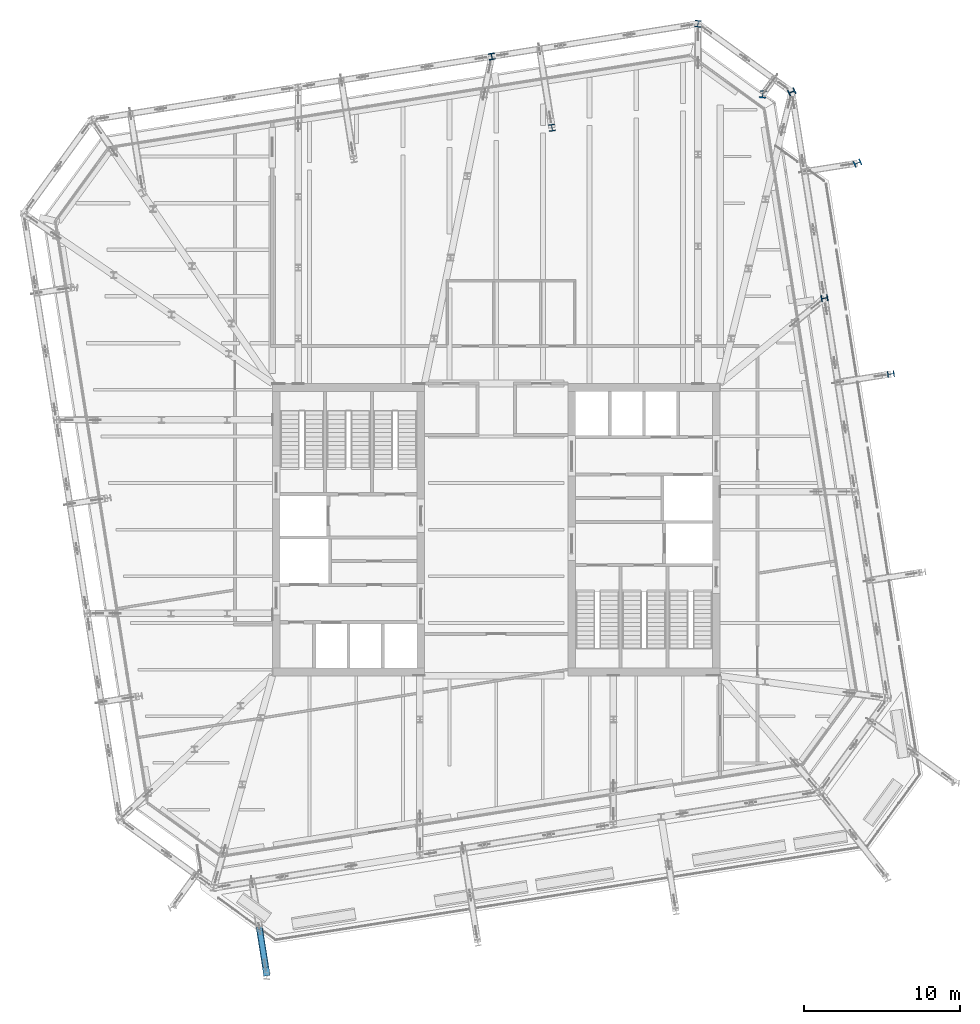
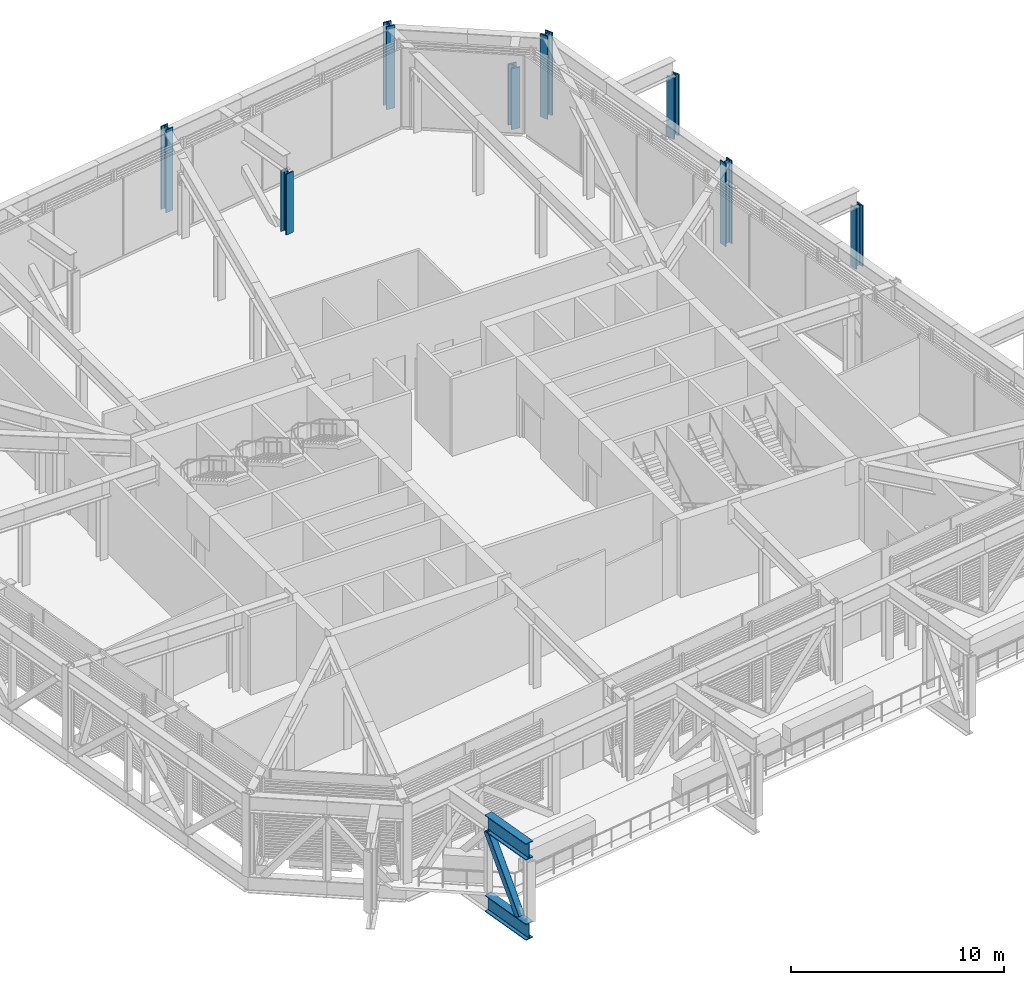
# One storey, part 2 of 35: 8 columns, 2 beams, 1 member.
"""IFC4 building model written with IfcOpenShell, lengths in metres."""

from ifc_helpers import new_model, si_unit, direction, frame, origin, origin_2d, place, context, subcontext, project, spatial, hollow_rectangle, i_section, extrude, material, material_profile, profile_set, type_object, element, save


model = new_model("IFC4")

# Units and contexts
model_context = context("Model", 3, precision=1e-05, world=origin(), true_north=direction((0.0, 1.0)))
body_context = subcontext(model_context, "Body", "Model", "MODEL_VIEW")
ifc_project = project(units=[si_unit("LENGTHUNIT", "METRE"), si_unit("AREAUNIT", "SQUARE_METRE"), si_unit("VOLUMEUNIT", "CUBIC_METRE"), si_unit("PLANEANGLEUNIT", "RADIAN"), si_unit("MASSUNIT", "GRAM", prefix="KILO")], contexts=[model_context])

# Site, building, storey
site_placement = place(None, origin())
site = spatial("IfcSite", under=ifc_project, at=site_placement, CompositionType="ELEMENT")
building_placement = place(site_placement, origin())
building = spatial("IfcBuilding", under=site, at=building_placement, Name="Millrace Tower", CompositionType="ELEMENT")
storey_placement = place(building_placement, frame((0.0, 0.0, 200.10009765625)))
storey = spatial("IfcBuildingStorey", under=building, at=storey_placement, Name="L45", CompositionType="ELEMENT", Elevation=200.10009765625)

# Columns
ifc_material_1 = material(Name="Steel ASTM A913 Grade 65", Category="steel")
ifc_material_profile_1 = material_profile(ifc_material_1, i_section(OverallWidth=0.408935546875, OverallDepth=0.424072265625, WebThickness=0.03271484375, FlangeThickness=0.052490234375, FilletRadius=0.01513671875, at=origin_2d()))
ifc_profile_set_1 = profile_set([ifc_material_profile_1], Name="Steel ASTM A913 Grade 65")
column_type_1 = type_object("IfcColumnType", Name="Exoskeleton column W14x283", PredefinedType="COLUMN", material=ifc_profile_set_1)
for number, where, z_axis, x_axis, name in (
    (1, (21.106689453125, 14.88330078125, -0.16015625), (0.0, 0.0, 1.0), (-0.156434462265, 0.987688341035, 0.0), "COL-D-L45-X08"),
    (2, (-0.288330078125, 30.427734375, -0.16015625), (0.0, 0.0, 1.0), (-0.987688341035, -0.156434462265, 0.0), "COL-D-L45-X11"),
):
    element("IfcColumn", number, at=place(storey_placement, frame(where, z_axis=z_axis, x_axis=x_axis)), inside=storey, type_object=column_type_1, Name=name, PredefinedType="COLUMN", context=body_context, shape_type="SweptSolid", body=[
        extrude(i_section(OverallWidth=0.408935546875, OverallDepth=0.424072265625, WebThickness=0.03271484375, FlangeThickness=0.052490234375, FilletRadius=0.01513671875, at=origin_2d()), origin(), (0.0, 0.0, 1.0), 4.760009765625),
    ])
ifc_material_2 = material(Name="Steel ASTM A913 Grade 65", Category="steel")
ifc_material_profile_2 = material_profile(ifc_material_2, i_section(OverallWidth=0.41650390625, OverallDepth=0.444580078125, WebThickness=0.0390625, FlangeThickness=0.062744140625, FilletRadius=0.01513671875, at=origin_2d()))
ifc_profile_set_2 = profile_set([ifc_material_profile_2], Name="Steel ASTM A913 Grade 65")
column_type_2 = type_object("IfcColumnType", Name="Exoskeleton column W14x342", PredefinedType="COLUMN", material=ifc_profile_set_2)
for number, where, z_axis, x_axis, name in (
    (3, (19.006103515625, 28.146484375, -0.16015625), (0.0, 0.0, 1.0), (-0.418552981224, 0.908192381552, 0.0), "COL-D-L45-X09"),
    (4, (12.974609375, 32.5283203125, -0.16015625), (0.0, 0.0, 1.0), (-0.993082267365, 0.117420655103, 0.0), "COL-D-L45-X10"),
):
    element("IfcColumn", number, at=place(storey_placement, frame(where, z_axis=z_axis, x_axis=x_axis)), inside=storey, type_object=column_type_2, Name=name, PredefinedType="COLUMN", context=body_context, shape_type="SweptSolid", body=[
        extrude(i_section(OverallWidth=0.41650390625, OverallDepth=0.444580078125, WebThickness=0.0390625, FlangeThickness=0.062744140625, FilletRadius=0.01513671875, at=origin_2d()), origin(), (0.0, 0.0, 1.0), 4.760009765625),
    ])
ifc_material_3 = material(Name="Steel ASTM A913 Grade 65", Category="steel")
ifc_material_profile_3 = material_profile(ifc_material_3, i_section(OverallWidth=0.419189453125, OverallDepth=0.45458984375, WebThickness=0.042236328125, FlangeThickness=0.067626953125, FilletRadius=0.01513671875, at=origin_2d()))
ifc_profile_set_3 = profile_set([ifc_material_profile_3], Name="Steel ASTM A913 Grade 65")
column_type_3 = type_object("IfcColumnType", Name="Exoskeleton column W14x370", PredefinedType="COLUMN", material=ifc_profile_set_3)
for number, where, z_axis, x_axis, name in (
    (5, (25.376953125, 10.009765625, 0.0), (0.0, 0.0, 1.0), (-0.156434479917, 0.987688338239, 0.0), "COL-C-L45-X08"),
    (6, (3.58154296875, 25.844970703125, 0.0), (0.0, 0.0, 1.0), (-0.987688339156, -0.156434474125, 0.0), "COL-C-L45-X11"),
):
    element("IfcColumn", number, at=place(storey_placement, frame(where, z_axis=z_axis, x_axis=x_axis)), inside=storey, type_object=column_type_3, Name=name, PredefinedType="COLUMN", context=body_context, shape_type="SweptSolid", body=[
        extrude(i_section(OverallWidth=0.419189453125, OverallDepth=0.45458984375, WebThickness=0.042236328125, FlangeThickness=0.067626953125, FilletRadius=0.01513671875, at=origin_2d()), origin(), (0.0, 0.0, 1.0), 3.492431640625),
    ])
ifc_material_4 = material(Name="Steel ASTM A913 Grade 65", Category="steel")
ifc_material_profile_4 = material_profile(ifc_material_4, i_section(OverallWidth=0.4267578125, OverallDepth=0.482666015625, WebThickness=0.05126953125, FlangeThickness=0.08154296875, FilletRadius=0.01513671875, at=origin_2d()))
ifc_profile_set_4 = profile_set([ifc_material_profile_4], Name="Steel ASTM A913 Grade 65")
column_type_4 = type_object("IfcColumnType", Name="Exoskeleton column W14x455", PredefinedType="COLUMN", material=ifc_profile_set_4)
for number, where, z_axis, x_axis, name in (
    (7, (23.2294921875, 23.569091796875, 0.0), (0.0, 0.0, 1.0), (-0.416401106568, 0.909181015227, 0.0), "COL-C-L45-X09"),
    (8, (17.140869140625, 27.99267578125, 0.0), (0.0, 0.0, 1.0), (-0.993357548409, 0.115068592665, 0.0), "COL-C-L45-X10"),
):
    element("IfcColumn", number, at=place(storey_placement, frame(where, z_axis=z_axis, x_axis=x_axis)), inside=storey, type_object=column_type_4, Name=name, PredefinedType="COLUMN", context=body_context, shape_type="SweptSolid", body=[
        extrude(i_section(OverallWidth=0.4267578125, OverallDepth=0.482666015625, WebThickness=0.05126953125, FlangeThickness=0.08154296875, FilletRadius=0.01513671875, at=origin_2d()), origin(), (0.0, 0.0, 1.0), 3.492431640625),
    ])

# Beams
ifc_material_5 = material(Name="Steel ASTM A992 Grade 50", Category="steel")
ifc_material_profile_5 = material_profile(ifc_material_5, i_section(OverallWidth=0.424072265625, OverallDepth=0.947509765625, WebThickness=0.02392578125, FlangeThickness=0.042724609375, FilletRadius=0.024169921875, at=origin_2d()))
ifc_profile_set_5 = profile_set([ifc_material_profile_5], Name="Steel ASTM A992 Grade 50")
beam_type = type_object("IfcBeamType", Name="Transfer truss chord W36x302", PredefinedType="BEAM", material=ifc_profile_set_5)
for number, where, z_axis, x_axis, name in (
    (9, (-14.740966796875, -28.692626953125, -0.6337890625), (-0.15640011174, 0.987693781011, 0.0), (-0.987693781011, -0.15640011174, 0.0), "TRS-L45-B-C-X02-B01"),
    (10, (-14.740966796875, -28.692626953125, 3.96630859375), (-0.15640011174, 0.987693781011, 0.0), (-0.987693781011, -0.15640011174, 0.0), "TRS-L45-B-C-X02-T01"),
):
    element("IfcBeam", number, at=place(storey_placement, frame(where, z_axis=z_axis, x_axis=x_axis)), inside=storey, type_object=beam_type, Name=name, PredefinedType="BEAM", context=body_context, shape_type="SweptSolid", body=[
        extrude(i_section(OverallWidth=0.424072265625, OverallDepth=0.947509765625, WebThickness=0.02392578125, FlangeThickness=0.042724609375, FilletRadius=0.024169921875, at=origin_2d()), origin(), (0.0, 0.0, 1.0), 3.06591796875),
    ])

# Member
ifc_material_6 = material(Name="Steel ASTM A500 Grade C", Category="steel")
ifc_material_profile_6 = material_profile(ifc_material_6, hollow_rectangle(XDim=0.355712890625, YDim=0.355712890625, WallThickness=0.015869140625, InnerFilletRadius=0.008056640625, OuterFilletRadius=0.02392578125, at=origin_2d()))
ifc_profile_set_6 = profile_set([ifc_material_profile_6], Name="Steel ASTM A500 Grade C")
member_type = type_object("IfcMemberType", Name="Transfer truss diagonal HSS14x14x5/8", PredefinedType="BRACE", material=ifc_profile_set_6)
member_placement = place(storey_placement, frame((-14.850341796875, -28.001220703125, -0.16015625), z_axis=(-0.085048661016, 0.536939798541, 0.839322570888), x_axis=(-0.987686705872, -0.156444785926, 0.0)))
element("IfcMember", 11, at=member_placement, inside=storey, type_object=member_type, Name="TRS-L45-B-C-X02-D01", PredefinedType="BRACE", context=body_context, shape_type="SweptSolid", body=[
    extrude(hollow_rectangle(XDim=0.355712890625, YDim=0.355712890625, WallThickness=0.015869140625, InnerFilletRadius=0.008056640625, OuterFilletRadius=0.02392578125, at=origin_2d()), origin(), (0.0, 0.0, 1.0), 4.351806640625),
])

save(model, "model.ifc")
